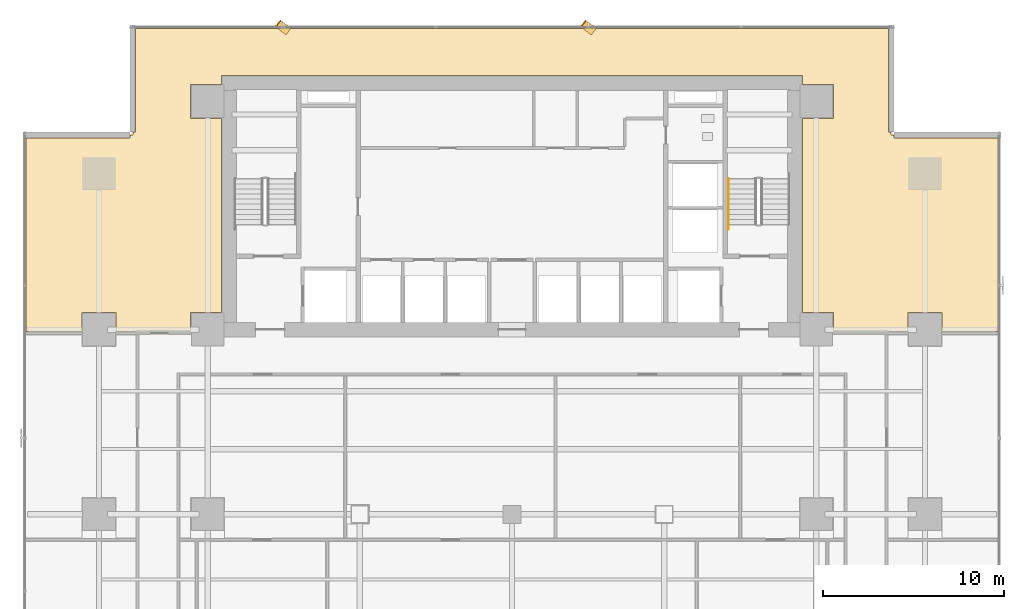
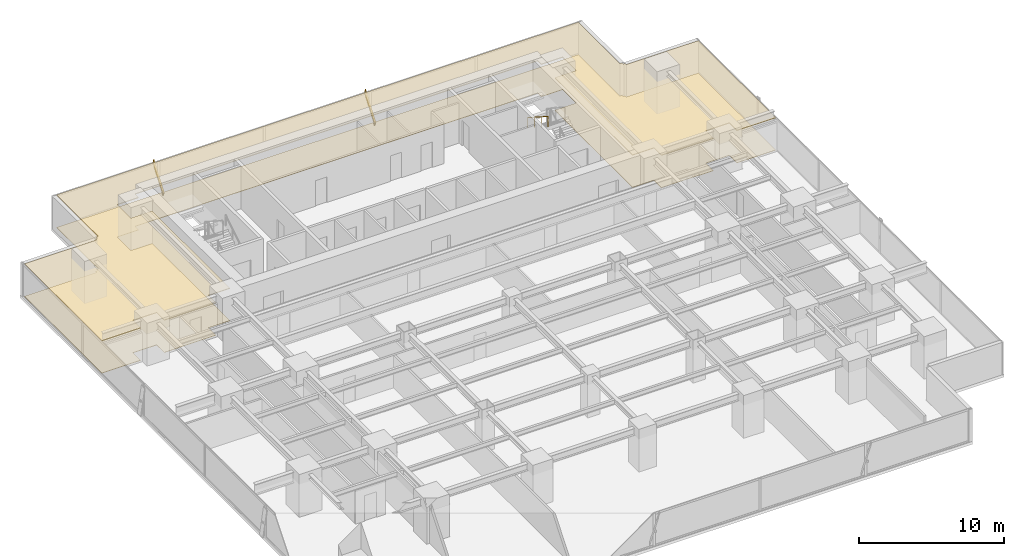
# One storey, part 30 of 32: 2 coverings, 2 shading devices, 1 railing.
"""IFC4 building model written with IfcOpenShell, lengths in metres."""

from ifc_helpers import new_model, si_unit, direction, frame, origin, origin_2d, place, context, subcontext, project, spatial, polyline, rectangle, outline, extrude, source, transform, mapped, material, layer, layer_set, material_profile, profile_set, type_object, element, save


model = new_model("IFC4")

# Units and contexts
model_context = context("Model", 3, precision=1e-05, world=origin(), true_north=direction((0.0, 1.0)))
body_context = subcontext(model_context, "Body", "Model", "MODEL_VIEW")
ifc_project = project(units=[si_unit("LENGTHUNIT", "METRE"), si_unit("AREAUNIT", "SQUARE_METRE"), si_unit("VOLUMEUNIT", "CUBIC_METRE"), si_unit("PLANEANGLEUNIT", "RADIAN"), si_unit("MASSUNIT", "GRAM", prefix="KILO")], contexts=[model_context])

# Site, building, storey
site_placement = place(None, origin())
site = spatial("IfcSite", under=ifc_project, at=site_placement, CompositionType="ELEMENT")
building_placement = place(site_placement, origin())
building = spatial("IfcBuilding", under=site, at=building_placement, Name="Sumidabori Civic Tower", CompositionType="ELEMENT")
storey_placement = place(building_placement, frame((0.0, 0.0, 48.800048828125)))
storey = spatial("IfcBuildingStorey", under=building, at=storey_placement, Name="L12", CompositionType="ELEMENT", Elevation=48.800048828125)

# Coverings
ifc_material_1 = material(Name="Anodised Bronze Baffle Ceiling")
ifc_layer_1 = layer(ifc_material_1, 0.054931640625, Name="Anodised Bronze Baffle Ceiling")
ifc_layer_set_1 = layer_set([ifc_layer_1], Name="Anodised Bronze Baffle Ceiling")
covering_type_1 = type_object("IfcCoveringType", Name="CV-CEIL-AC3", PredefinedType="CEILING", material=ifc_layer_set_1)
covering_1_placement = place(storey_placement, frame((0.0, 0.0, 2.7099609375)))
element("IfcCovering", 1, at=covering_1_placement, inside=storey, type_object=covering_type_1, Name="Room Acoustic Ceiling L12-01", PredefinedType="CEILING", context=body_context, shape_type="SweptSolid", body=[
    extrude(outline(polyline([(-26.830078125, 10.094970703125), (-26.830078125, 20.77197265625), (-21.092041015625, 20.77197265625), (-21.092041015625, 20.929931640625), (-20.929931640625, 20.929931640625), (-20.929931640625, 21.092041015625), (-20.77197265625, 21.092041015625), (-20.77197265625, 26.830078125), (20.77197265625, 26.830078125), (20.77197265625, 21.092041015625), (20.929931640625, 21.092041015625), (20.929931640625, 20.929931640625), (21.092041015625, 20.929931640625), (21.092041015625, 20.77197265625), (26.830078125, 20.77197265625), (26.830078125, 10.094970703125), (23.739990234375, 10.094970703125), (23.739990234375, 11.139892578125), (21.860107421875, 11.139892578125), (21.860107421875, 10.094970703125), (20.77001953125, 10.094970703125), (20.77001953125, 10.1201171875), (17.739990234375, 10.1201171875), (17.739990234375, 11.139892578125), (16.028076171875, 11.139892578125), (16.028076171875, 21.860107421875), (17.739990234375, 21.860107421875), (17.739990234375, 23.739990234375), (16.028076171875, 23.739990234375), (16.028076171875, 24.22802734375), (-16.028076171875, 24.22802734375), (-16.028076171875, 23.739990234375), (-17.739990234375, 23.739990234375), (-17.739990234375, 21.860107421875), (-16.028076171875, 21.860107421875), (-16.028076171875, 11.139892578125), (-17.739990234375, 11.139892578125), (-17.739990234375, 10.1201171875), (-20.77001953125, 10.1201171875), (-20.77001953125, 10.094970703125), (-21.860107421875, 10.094970703125), (-21.860107421875, 11.139892578125), (-23.739990234375, 11.139892578125), (-23.739990234375, 10.094970703125), (-26.830078125, 10.094970703125)])), origin(), (0.0, 0.0, 1.0), 0.054931640625),
])
ifc_material_2 = material(Name="Honed Terrazzo Tile Flooring")
ifc_layer_2 = layer(ifc_material_2, 0.030029296875, Name="Honed Terrazzo Tile Flooring")
ifc_layer_set_2 = layer_set([ifc_layer_2], Name="Honed Terrazzo Tile Flooring")
covering_type_2 = type_object("IfcCoveringType", Name="CV-FLR-TER", PredefinedType="FLOORING", material=ifc_layer_set_2)
covering_2_placement = place(storey_placement, origin())
element("IfcCovering", 2, at=covering_2_placement, inside=storey, type_object=covering_type_2, Name="Room Terrazzo Floor L12-01", PredefinedType="FLOORING", context=body_context, shape_type="SweptSolid", body=[
    extrude(outline(polyline([(-26.830078125, 10.094970703125), (-26.830078125, 20.77197265625), (-21.092041015625, 20.77197265625), (-21.092041015625, 20.929931640625), (-20.929931640625, 20.929931640625), (-20.929931640625, 21.092041015625), (-20.77197265625, 21.092041015625), (-20.77197265625, 26.830078125), (20.77197265625, 26.830078125), (20.77197265625, 21.092041015625), (20.929931640625, 21.092041015625), (20.929931640625, 20.929931640625), (21.092041015625, 20.929931640625), (21.092041015625, 20.77197265625), (26.830078125, 20.77197265625), (26.830078125, 10.094970703125), (23.739990234375, 10.094970703125), (23.739990234375, 11.139892578125), (21.860107421875, 11.139892578125), (21.860107421875, 10.094970703125), (20.77001953125, 10.094970703125), (20.77001953125, 10.1201171875), (17.739990234375, 10.1201171875), (17.739990234375, 11.139892578125), (16.028076171875, 11.139892578125), (16.028076171875, 21.860107421875), (17.739990234375, 21.860107421875), (17.739990234375, 23.739990234375), (16.028076171875, 23.739990234375), (16.028076171875, 24.22802734375), (-16.028076171875, 24.22802734375), (-16.028076171875, 23.739990234375), (-17.739990234375, 23.739990234375), (-17.739990234375, 21.860107421875), (-16.028076171875, 21.860107421875), (-16.028076171875, 11.139892578125), (-17.739990234375, 11.139892578125), (-17.739990234375, 10.1201171875), (-20.77001953125, 10.1201171875), (-20.77001953125, 10.094970703125), (-21.860107421875, 10.094970703125), (-21.860107421875, 11.139892578125), (-23.739990234375, 11.139892578125), (-23.739990234375, 10.094970703125), (-26.830078125, 10.094970703125)])), origin(), (0.0, 0.0, 1.0), 0.030029296875),
])

# Railing
ifc_material_3 = material(Name="Stainless Steel Hairline Finish", Category="steel")
railing_type = type_object("IfcRailingType", Name="RL-HANDRAIL", PredefinedType="HANDRAIL", material=ifc_material_3)
railing_placement = place(storey_placement, frame((11.949951171875, 18.52001953125, 1.97998046875)))
element("IfcRailing", 3, at=railing_placement, inside=storey, type_object=railing_type, Name="L12 ST-2 stair handrail 2", PredefinedType="HANDRAIL", context=body_context, shape_type="SweptSolid", body=[
    extrude(rectangle(XDim=0.048095703125, YDim=0.048095703125, at=origin_2d()), frame((0.0, 0.0, 0.8759765625), z_axis=(0.0, -0.840675598268, 0.541539046124), x_axis=(1.0, 0.0, 0.0)), (0.0, 0.0, 1.0), 3.330810546875),
    extrude(rectangle(XDim=0.0419921875, YDim=0.0419921875, at=origin_2d()), origin(), (0.0, 0.0, 1.0), 0.851806640625),
    extrude(rectangle(XDim=0.0419921875, YDim=0.0419921875, at=origin_2d()), frame((0.0, -0.933349609375, 0.601318359375)), (0.0, 0.0, 1.0), 0.851806640625),
    extrude(rectangle(XDim=0.0419921875, YDim=0.0419921875, at=origin_2d()), frame((0.0, -1.86669921875, 1.202392578125)), (0.0, 0.0, 1.0), 0.851806640625),
    extrude(rectangle(XDim=0.0419921875, YDim=0.0419921875, at=origin_2d()), frame((0.0, -2.800048828125, 1.8037109375)), (0.0, 0.0, 1.0), 0.851806640625),
])

# Shading devices
ifc_material_4 = material(Name="Anodised Bronze Aluminium AW-6063-T6", Category="aluminium")
ifc_material_profile = material_profile(ifc_material_4, rectangle(XDim=0.06005859375, YDim=0.449951171875, at=origin_2d()), Name="BRONZE FIN 450x60")
ifc_profile_set = profile_set([ifc_material_profile], Name="Anodised Bronze Aluminium AW-6063-T6")
shading_device_type = type_object("IfcShadingDeviceType", Name="SH-FIN-450", PredefinedType="USERDEFINED", material=ifc_profile_set)
shared_shape = source(origin(), body_context, "Body", "SweptSolid", [
    extrude(rectangle(XDim=0.06005859375, YDim=0.449951171875, at=origin_2d()), origin(), (0.0, 0.0, 1.0), 2.769775390625),
])
for number, where, z_axis, x_axis, name in (
    (4, (4.493896484375, 26.669921875, 0.02001953125), (-0.20211139135, 0.151693721986, 0.967543280787), (0.773832092044, -0.580795913828, 0.252705361643), "Bronze Anodised Diagonal Fin L12-02"),
    (5, (-12.362060546875, 26.669921875, 0.02001953125), (-0.202195931323, 0.151691019096, 0.967526041035), (0.773939855131, -0.580623579198, 0.252771358975), "Bronze Anodised Diagonal Fin L12-04"),
):
    element("IfcShadingDevice", number, at=place(storey_placement, frame(where, z_axis=z_axis, x_axis=x_axis)), inside=storey, type_object=shading_device_type, Name=name, ObjectType="FIN", PredefinedType="USERDEFINED", context=body_context, shape_type="MappedRepresentation", body=[
        mapped(shared_shape, transform((0.0, 0.0, 0.0), x_axis=(1.0, 0.0, 0.0), y_axis=(0.0, 1.0, 0.0), z_axis=(0.0, 0.0, 1.0), scale=1.0)),
    ])

save(model, "model.ifc")
